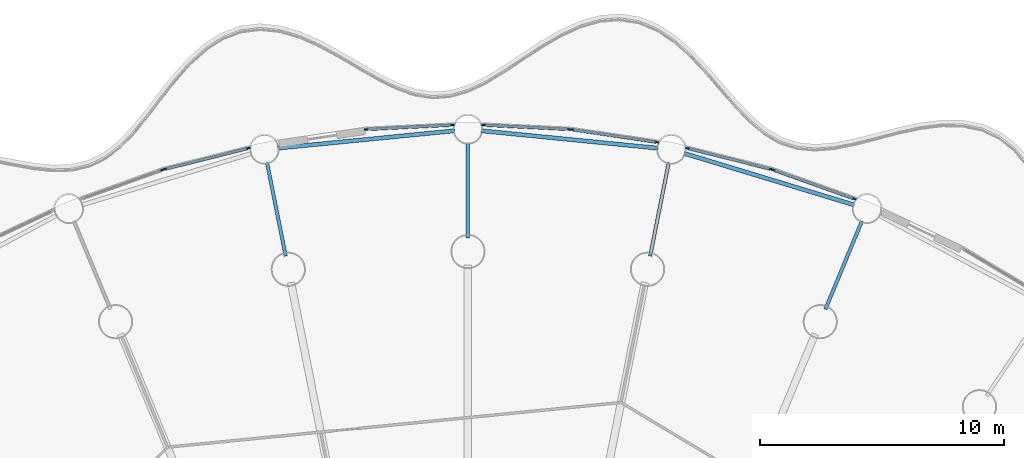
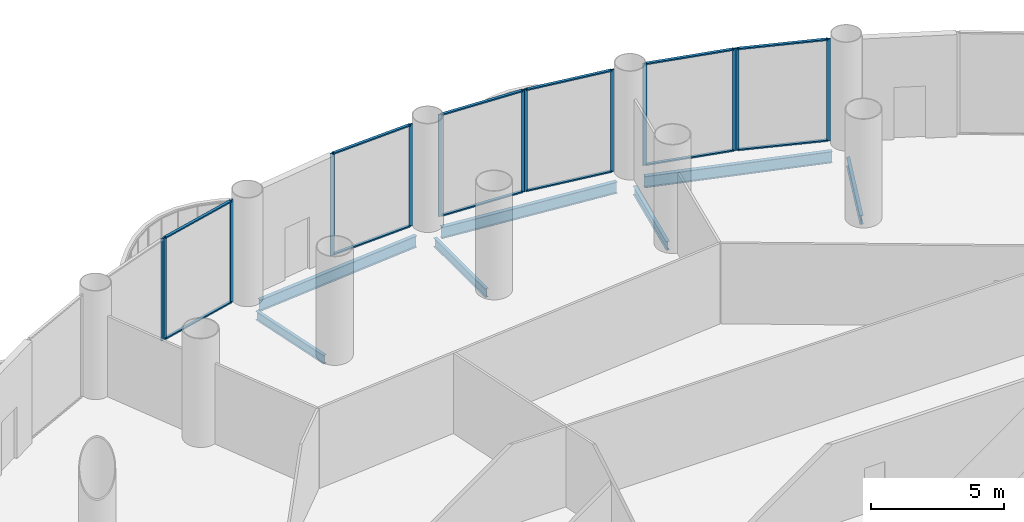
# One storey, part 17 of 35: 25 members, 7 beams, 7 elements without a shape of their own.
"""IFC4 building model written with IfcOpenShell, lengths in metres."""

from ifc_helpers import new_model, si_unit, direction, frame, origin, origin_2d, place, context, subcontext, project, spatial, rectangle, i_section, extrude, material, material_profile, profile_set, type_object, element, aggregate, save


model = new_model("IFC4")

# Units and contexts
model_context = context("Model", 3, precision=1e-05, world=origin(), true_north=direction((0.0, 1.0)))
body_context = subcontext(model_context, "Body", "Model", "MODEL_VIEW")
ifc_project = project(units=[si_unit("LENGTHUNIT", "METRE"), si_unit("AREAUNIT", "SQUARE_METRE"), si_unit("VOLUMEUNIT", "CUBIC_METRE"), si_unit("PLANEANGLEUNIT", "RADIAN"), si_unit("MASSUNIT", "GRAM", prefix="KILO")], contexts=[model_context])

# Site, building, storey
site_placement = place(None, origin())
site = spatial("IfcSite", under=ifc_project, at=site_placement, CompositionType="ELEMENT")
building_placement = place(site_placement, origin())
building = spatial("IfcBuilding", under=site, at=building_placement, Name="Corvane Civic Tower", CompositionType="ELEMENT")
storey_placement = place(building_placement, frame((0.0, 0.0, 27.0)))
storey = spatial("IfcBuildingStorey", under=building, at=storey_placement, Name="L05", CompositionType="ELEMENT", Elevation=27.0)

# Beams
ifc_material_1 = material(Name="Steel ASTM A992 Gr 50", Category="steel")
ifc_material_profile_1 = material_profile(ifc_material_1, i_section(OverallWidth=0.165771484375, OverallDepth=0.5283203125, WebThickness=0.009765625, FlangeThickness=0.013671875, at=origin_2d()), Name="W21X50")
ifc_profile_set_1 = profile_set([ifc_material_profile_1], Name="Steel ASTM A992 Gr 50")
beam_type_1 = type_object("IfcBeamType", Name="EDGE BEAM W21X50", PredefinedType="BEAM", material=ifc_profile_set_1)
for number, where, z_axis, x_axis, name in (
    (1, (0.54736328125, 42.64599609375, -0.564208984375), (0.995187967953, -0.097984225478, 0.0), (0.097984225478, 0.995187967953, 0.0), "BM-L05-E01"),
    (2, (8.856689453125, 41.719970703125, -0.564208984375), (0.956938225664, -0.290291633127, 0.0), (0.290291633127, 0.956938225664, 0.0), "BM-L05-E02"),
    (3, (-7.782958984375, 41.93359375, -0.564208984375), (0.995187967953, 0.097984225478, 0.0), (-0.097984225478, 0.995187967953, 0.0), "BM-L05-E32"),
):
    element("IfcBeam", number, at=place(storey_placement, frame(where, z_axis=z_axis, x_axis=x_axis)), inside=storey, type_object=beam_type_1, Name=name, PredefinedType="BEAM", context=body_context, shape_type="SweptSolid", body=[
        extrude(i_section(OverallWidth=0.165771484375, OverallDepth=0.5283203125, WebThickness=0.009765625, FlangeThickness=0.013671875, at=origin_2d()), origin(), (0.0, 0.0, 1.0), 7.2705078125),
    ])
ifc_material_2 = material(Name="Steel ASTM A992 Gr 50", Category="steel")
ifc_material_profile_2 = material_profile(ifc_material_2, i_section(OverallWidth=0.140380859375, OverallDepth=0.40380859375, WebThickness=0.007080078125, FlangeThickness=0.01123046875, at=origin_2d()), Name="W16X31")
ifc_profile_set_2 = profile_set([ifc_material_profile_2], Name="Steel ASTM A992 Gr 50")
beam_type_2 = type_object("IfcBeamType", Name="FLOOR GIRDER W16X31", PredefinedType="BEAM", material=ifc_profile_set_2)
for number, where, z_axis, x_axis, name in (
    (4, (0.0, 38.25, -0.501953125), (0.0, 1.0, 0.0), (-1.0, 0.0, 0.0), "BM-L05-G01b"),
    (5, (7.462158203125, 37.51513671875, -0.501953125), (0.195128858343, 0.980777614264, 0.0), (-0.980777614264, 0.195128858343, 0.0), "BM-L05-G02b"),
    (6, (14.6376953125, 35.33837890625, -0.501953125), (0.382685369162, 0.923878730261, 0.0), (-0.923878730261, 0.382685369162, 0.0), "BM-L05-G03b"),
    (7, (-7.462158203125, 37.51513671875, -0.501953125), (-0.195128858343, 0.980777614264, 0.0), (-0.980777614264, -0.195128858343, 0.0), "BM-L05-G32b"),
):
    element("IfcBeam", number, at=place(storey_placement, frame(where, z_axis=z_axis, x_axis=x_axis)), inside=storey, type_object=beam_type_2, Name=name, PredefinedType="BEAM", context=body_context, shape_type="SweptSolid", body=[
        extrude(i_section(OverallWidth=0.140380859375, OverallDepth=0.40380859375, WebThickness=0.007080078125, FlangeThickness=0.01123046875, at=origin_2d()), origin(), (0.0, 0.0, 1.0), 3.89990234375),
    ])

# Curtain wall, members
ifc_material_3 = material(Name="Aluminium and glass", Category="aluminium")
curtain_wall_type = type_object("IfcCurtainWallType", Name="PODIUM-CW-P-RUN", PredefinedType="NOTDEFINED", material=ifc_material_3)
curtain_wall_1_placement = place(storey_placement, origin())
curtain_wall_1 = element("IfcCurtainWall", 8, at=curtain_wall_1_placement, inside=storey, type_object=curtain_wall_type, Name="PODI run L05-drum-01A", PredefinedType="NOTDEFINED")
ifc_material_4 = material(Name="Anodised aluminium bronze", Category="aluminium")
ifc_material_profile_3 = material_profile(ifc_material_4, rectangle(XDim=0.06005859375, YDim=0.159912109375, at=origin_2d()), Name="AL 60x160")
ifc_profile_set_3 = profile_set([ifc_material_profile_3], Name="Anodised aluminium bronze")
member_type_1 = type_object("IfcMemberType", Name="PODIUM-CWP-MULLION-60x160", PredefinedType="MULLION", material=ifc_profile_set_3)
member_1_placement = place(storey_placement, frame((0.644775390625, 42.878173828125, 0.0), z_axis=(0.0, 0.0, 1.0), x_axis=(0.04905015332, 0.998796316803, 0.0)))
member_1 = element("IfcMember", 9, at=member_1_placement, type_object=member_type_1, Name="CW-P mullion 1", PredefinedType="MULLION", context=body_context, shape_type="SweptSolid", body=[
    extrude(rectangle(XDim=0.06005859375, YDim=0.159912109375, at=origin_2d()), origin(), (0.0, 0.0, 1.0), 4.699951171875),
])
member_2_placement = place(storey_placement, frame((4.16064453125, 42.70556640625, 0.0), z_axis=(0.0, 0.0, 1.0), x_axis=(0.04905015332, 0.998796316803, 0.0)))
member_2 = element("IfcMember", 10, at=member_2_placement, type_object=member_type_1, Name="CW-P mullion 2", PredefinedType="MULLION", context=body_context, shape_type="SweptSolid", body=[
    extrude(rectangle(XDim=0.06005859375, YDim=0.159912109375, at=origin_2d()), origin(), (0.0, 0.0, 1.0), 4.699951171875),
])

curtain_wall_2_placement = place(storey_placement, origin())
curtain_wall_2 = element("IfcCurtainWall", 11, at=curtain_wall_2_placement, inside=storey, type_object=curtain_wall_type, Name="PODI run L05-drum-01B", PredefinedType="NOTDEFINED")
member_3_placement = place(storey_placement, frame((4.2509765625, 42.696533203125, 0.0), z_axis=(0.0, 0.0, 1.0), x_axis=(0.146714694252, 0.989178850608, 0.0)))
member_3 = element("IfcMember", 12, at=member_3_placement, type_object=member_type_1, Name="CW-P mullion 1", PredefinedType="MULLION", context=body_context, shape_type="SweptSolid", body=[
    extrude(rectangle(XDim=0.06005859375, YDim=0.159912109375, at=origin_2d()), origin(), (0.0, 0.0, 1.0), 4.699951171875),
])
member_4_placement = place(storey_placement, frame((7.732666015625, 42.18017578125, 0.0), z_axis=(0.0, 0.0, 1.0), x_axis=(0.146714694252, 0.989178850608, 0.0)))
member_4 = element("IfcMember", 13, at=member_4_placement, type_object=member_type_1, Name="CW-P mullion 2", PredefinedType="MULLION", context=body_context, shape_type="SweptSolid", body=[
    extrude(rectangle(XDim=0.06005859375, YDim=0.159912109375, at=origin_2d()), origin(), (0.0, 0.0, 1.0), 4.699951171875),
])

curtain_wall_3_placement = place(storey_placement, origin())
curtain_wall_3 = element("IfcCurtainWall", 14, at=curtain_wall_3_placement, inside=storey, type_object=curtain_wall_type, Name="PODI run L05-drum-02A", PredefinedType="NOTDEFINED")
member_5_placement = place(storey_placement, frame((8.99755859375, 41.9287109375, 0.0), z_axis=(0.0, 0.0, 1.0), x_axis=(0.243008852393, 0.970024070659, 0.0)))
member_5 = element("IfcMember", 15, at=member_5_placement, type_object=member_type_1, Name="CW-P mullion 1", PredefinedType="MULLION", context=body_context, shape_type="SweptSolid", body=[
    extrude(rectangle(XDim=0.06005859375, YDim=0.159912109375, at=origin_2d()), origin(), (0.0, 0.0, 1.0), 4.699951171875),
])
member_6_placement = place(storey_placement, frame((12.411865234375, 41.0732421875, 0.0), z_axis=(0.0, 0.0, 1.0), x_axis=(0.243008852393, 0.970024070659, 0.0)))
member_6 = element("IfcMember", 16, at=member_6_placement, type_object=member_type_1, Name="CW-P mullion 2", PredefinedType="MULLION", context=body_context, shape_type="SweptSolid", body=[
    extrude(rectangle(XDim=0.06005859375, YDim=0.159912109375, at=origin_2d()), origin(), (0.0, 0.0, 1.0), 4.699951171875),
])

curtain_wall_4_placement = place(storey_placement, origin())
curtain_wall_4 = element("IfcCurtainWall", 17, at=curtain_wall_4_placement, inside=storey, type_object=curtain_wall_type, Name="PODI run L05-drum-02B", PredefinedType="NOTDEFINED")
member_7_placement = place(storey_placement, frame((12.4990234375, 41.046875, 0.0), z_axis=(0.0, 0.0, 1.0), x_axis=(0.336918534123, 0.941533802561, 0.0)))
member_7 = element("IfcMember", 18, at=member_7_placement, type_object=member_type_1, Name="CW-P mullion 1", PredefinedType="MULLION", context=body_context, shape_type="SweptSolid", body=[
    extrude(rectangle(XDim=0.06005859375, YDim=0.159912109375, at=origin_2d()), origin(), (0.0, 0.0, 1.0), 4.699951171875),
])
member_8_placement = place(storey_placement, frame((15.81298828125, 39.861083984375, 0.0), z_axis=(0.0, 0.0, 1.0), x_axis=(0.336918534123, 0.941533802561, 0.0)))
member_8 = element("IfcMember", 19, at=member_8_placement, type_object=member_type_1, Name="CW-P mullion 2", PredefinedType="MULLION", context=body_context, shape_type="SweptSolid", body=[
    extrude(rectangle(XDim=0.06005859375, YDim=0.159912109375, at=origin_2d()), origin(), (0.0, 0.0, 1.0), 4.699951171875),
])

# Curtain wall, member
curtain_wall_5_placement = place(storey_placement, origin())
curtain_wall_5 = element("IfcCurtainWall", 20, at=curtain_wall_5_placement, inside=storey, type_object=curtain_wall_type, Name="PODI run L05-drum-31A", PredefinedType="NOTDEFINED")
member_9_placement = place(storey_placement, frame((-12.4990234375, 41.046875, 0.0), z_axis=(0.0, 0.0, 1.0), x_axis=(-0.336918534123, 0.941533802561, 0.0)))
member_9 = element("IfcMember", 21, at=member_9_placement, type_object=member_type_1, Name="CW-P mullion 2", PredefinedType="MULLION", context=body_context, shape_type="SweptSolid", body=[
    extrude(rectangle(XDim=0.06005859375, YDim=0.159912109375, at=origin_2d()), origin(), (0.0, 0.0, 1.0), 4.699951171875),
])
aggregate(curtain_wall_5, [member_9])

# Curtain wall, members
curtain_wall_6_placement = place(storey_placement, origin())
curtain_wall_6 = element("IfcCurtainWall", 22, at=curtain_wall_6_placement, inside=storey, type_object=curtain_wall_type, Name="PODI run L05-drum-31B", PredefinedType="NOTDEFINED")
member_10_placement = place(storey_placement, frame((-12.411865234375, 41.0732421875, 0.0), z_axis=(0.0, 0.0, 1.0), x_axis=(-0.243008852393, 0.970024070659, 0.0)))
member_10 = element("IfcMember", 23, at=member_10_placement, type_object=member_type_1, Name="CW-P mullion 1", PredefinedType="MULLION", context=body_context, shape_type="SweptSolid", body=[
    extrude(rectangle(XDim=0.06005859375, YDim=0.159912109375, at=origin_2d()), origin(), (0.0, 0.0, 1.0), 4.699951171875),
])
member_11_placement = place(storey_placement, frame((-8.99755859375, 41.9287109375, 0.0), z_axis=(0.0, 0.0, 1.0), x_axis=(-0.243008852393, 0.970024070659, 0.0)))
member_11 = element("IfcMember", 24, at=member_11_placement, type_object=member_type_1, Name="CW-P mullion 2", PredefinedType="MULLION", context=body_context, shape_type="SweptSolid", body=[
    extrude(rectangle(XDim=0.06005859375, YDim=0.159912109375, at=origin_2d()), origin(), (0.0, 0.0, 1.0), 4.699951171875),
])

curtain_wall_7_placement = place(storey_placement, origin())
curtain_wall_7 = element("IfcCurtainWall", 25, at=curtain_wall_7_placement, inside=storey, type_object=curtain_wall_type, Name="PODI run L05-drum-32B", PredefinedType="NOTDEFINED")
member_12_placement = place(storey_placement, frame((-4.16064453125, 42.70556640625, 0.0), z_axis=(0.0, 0.0, 1.0), x_axis=(-0.04905015332, 0.998796316803, 0.0)))
member_12 = element("IfcMember", 26, at=member_12_placement, type_object=member_type_1, Name="CW-P mullion 1", PredefinedType="MULLION", context=body_context, shape_type="SweptSolid", body=[
    extrude(rectangle(XDim=0.06005859375, YDim=0.159912109375, at=origin_2d()), origin(), (0.0, 0.0, 1.0), 4.699951171875),
])
member_13_placement = place(storey_placement, frame((-0.644775390625, 42.878173828125, 0.0), z_axis=(0.0, 0.0, 1.0), x_axis=(-0.04905015332, 0.998796316803, 0.0)))
member_13 = element("IfcMember", 27, at=member_13_placement, type_object=member_type_1, Name="CW-P mullion 2", PredefinedType="MULLION", context=body_context, shape_type="SweptSolid", body=[
    extrude(rectangle(XDim=0.06005859375, YDim=0.159912109375, at=origin_2d()), origin(), (0.0, 0.0, 1.0), 4.699951171875),
])

# Member
ifc_material_5 = material(Name="Anodised aluminium bronze", Category="aluminium")
ifc_material_profile_4 = material_profile(ifc_material_5, rectangle(XDim=0.1201171875, YDim=0.06005859375, at=origin_2d()), Name="AL 120x60")
ifc_profile_set_4 = profile_set([ifc_material_profile_4], Name="Anodised aluminium bronze")
member_type_2 = type_object("IfcMemberType", Name="PODIUM-CWP-TRANSOM-60x120", PredefinedType="USERDEFINED", material=ifc_profile_set_4)
member_14_placement = place(storey_placement, frame((0.6748046875, 42.876708984375, 0.030029296875), z_axis=(0.998796806423, -0.049040182301, 0.0), x_axis=(0.049040182301, 0.998796806423, 0.0)))
member_14 = element("IfcMember", 28, at=member_14_placement, type_object=member_type_2, Name="CW-P transom 1.1", ObjectType="TRANSOM", PredefinedType="USERDEFINED", context=body_context, shape_type="SweptSolid", body=[
    extrude(rectangle(XDim=0.1201171875, YDim=0.06005859375, at=origin_2d()), origin(), (0.0, 0.0, 1.0), 3.4599609375),
])

member_15_placement = place(storey_placement, frame((0.6748046875, 42.876708984375, 4.669921875), z_axis=(0.998796806423, -0.049040182301, 0.0), x_axis=(0.049040182301, 0.998796806423, 0.0)))
member_15 = element("IfcMember", 29, at=member_15_placement, type_object=member_type_2, Name="CW-P transom 1.2", ObjectType="TRANSOM", PredefinedType="USERDEFINED", context=body_context, shape_type="SweptSolid", body=[
    extrude(rectangle(XDim=0.1201171875, YDim=0.06005859375, at=origin_2d()), origin(), (0.0, 0.0, 1.0), 3.4599609375),
])

aggregate(curtain_wall_1, [member_1, member_2, member_14, member_15])

member_16_placement = place(storey_placement, frame((4.28076171875, 42.692138671875, 0.030029296875), z_axis=(0.989180338828, -0.146704660039, 0.0), x_axis=(0.146704660039, 0.989180338828, 0.0)))
member_16 = element("IfcMember", 30, at=member_16_placement, type_object=member_type_2, Name="CW-P transom 1.1", ObjectType="TRANSOM", PredefinedType="USERDEFINED", context=body_context, shape_type="SweptSolid", body=[
    extrude(rectangle(XDim=0.1201171875, YDim=0.06005859375, at=origin_2d()), origin(), (0.0, 0.0, 1.0), 3.459716796875),
])

member_17_placement = place(storey_placement, frame((4.28076171875, 42.692138671875, 4.669921875), z_axis=(0.989180338828, -0.146704660039, 0.0), x_axis=(0.146704660039, 0.989180338828, 0.0)))
member_17 = element("IfcMember", 31, at=member_17_placement, type_object=member_type_2, Name="CW-P transom 1.2", ObjectType="TRANSOM", PredefinedType="USERDEFINED", context=body_context, shape_type="SweptSolid", body=[
    extrude(rectangle(XDim=0.1201171875, YDim=0.06005859375, at=origin_2d()), origin(), (0.0, 0.0, 1.0), 3.459716796875),
])

aggregate(curtain_wall_2, [member_3, member_4, member_16, member_17])

member_18_placement = place(storey_placement, frame((9.026611328125, 41.92138671875, 0.030029296875), z_axis=(0.970022009425, -0.243017080124, 0.0), x_axis=(0.243017080124, 0.970022009425, 0.0)))
member_18 = element("IfcMember", 32, at=member_18_placement, type_object=member_type_2, Name="CW-P transom 1.1", ObjectType="TRANSOM", PredefinedType="USERDEFINED", context=body_context, shape_type="SweptSolid", body=[
    extrude(rectangle(XDim=0.1201171875, YDim=0.06005859375, at=origin_2d()), origin(), (0.0, 0.0, 1.0), 3.4599609375),
])

member_19_placement = place(storey_placement, frame((9.026611328125, 41.92138671875, 4.669921875), z_axis=(0.970022009425, -0.243017080124, 0.0), x_axis=(0.243017080124, 0.970022009425, 0.0)))
member_19 = element("IfcMember", 33, at=member_19_placement, type_object=member_type_2, Name="CW-P transom 1.2", ObjectType="TRANSOM", PredefinedType="USERDEFINED", context=body_context, shape_type="SweptSolid", body=[
    extrude(rectangle(XDim=0.1201171875, YDim=0.06005859375, at=origin_2d()), origin(), (0.0, 0.0, 1.0), 3.4599609375),
])

aggregate(curtain_wall_3, [member_5, member_6, member_18, member_19])

member_20_placement = place(storey_placement, frame((12.527099609375, 41.036865234375, 0.030029296875), z_axis=(0.941526196838, -0.336939787896, 0.0), x_axis=(0.336939787896, 0.941526196838, 0.0)))
member_20 = element("IfcMember", 34, at=member_20_placement, type_object=member_type_2, Name="CW-P transom 1.1", ObjectType="TRANSOM", PredefinedType="USERDEFINED", context=body_context, shape_type="SweptSolid", body=[
    extrude(rectangle(XDim=0.1201171875, YDim=0.06005859375, at=origin_2d()), origin(), (0.0, 0.0, 1.0), 3.4599609375),
])

member_21_placement = place(storey_placement, frame((12.527099609375, 41.036865234375, 4.669921875), z_axis=(0.941526196838, -0.336939787896, 0.0), x_axis=(0.336939787896, 0.941526196838, 0.0)))
member_21 = element("IfcMember", 35, at=member_21_placement, type_object=member_type_2, Name="CW-P transom 1.2", ObjectType="TRANSOM", PredefinedType="USERDEFINED", context=body_context, shape_type="SweptSolid", body=[
    extrude(rectangle(XDim=0.1201171875, YDim=0.06005859375, at=origin_2d()), origin(), (0.0, 0.0, 1.0), 3.4599609375),
])

aggregate(curtain_wall_4, [member_7, member_8, member_20, member_21])

member_22_placement = place(storey_placement, frame((-12.3828125, 41.08056640625, 0.030029296875), z_axis=(0.970022009425, 0.243017080124, 0.0), x_axis=(-0.243017080124, 0.970022009425, 0.0)))
member_22 = element("IfcMember", 36, at=member_22_placement, type_object=member_type_2, Name="CW-P transom 1.1", ObjectType="TRANSOM", PredefinedType="USERDEFINED", context=body_context, shape_type="SweptSolid", body=[
    extrude(rectangle(XDim=0.1201171875, YDim=0.06005859375, at=origin_2d()), origin(), (0.0, 0.0, 1.0), 3.4599609375),
])

member_23_placement = place(storey_placement, frame((-12.3828125, 41.08056640625, 4.669921875), z_axis=(0.970022009425, 0.243017080124, 0.0), x_axis=(-0.243017080124, 0.970022009425, 0.0)))
member_23 = element("IfcMember", 37, at=member_23_placement, type_object=member_type_2, Name="CW-P transom 1.2", ObjectType="TRANSOM", PredefinedType="USERDEFINED", context=body_context, shape_type="SweptSolid", body=[
    extrude(rectangle(XDim=0.1201171875, YDim=0.06005859375, at=origin_2d()), origin(), (0.0, 0.0, 1.0), 3.4599609375),
])

aggregate(curtain_wall_6, [member_10, member_11, member_22, member_23])

member_24_placement = place(storey_placement, frame((-4.130615234375, 42.70703125, 0.030029296875), z_axis=(0.998796806423, 0.049040182301, 0.0), x_axis=(-0.049040182301, 0.998796806423, 0.0)))
member_24 = element("IfcMember", 38, at=member_24_placement, type_object=member_type_2, Name="CW-P transom 1.1", ObjectType="TRANSOM", PredefinedType="USERDEFINED", context=body_context, shape_type="SweptSolid", body=[
    extrude(rectangle(XDim=0.1201171875, YDim=0.06005859375, at=origin_2d()), origin(), (0.0, 0.0, 1.0), 3.4599609375),
])

member_25_placement = place(storey_placement, frame((-4.130615234375, 42.70703125, 4.669921875), z_axis=(0.998796806423, 0.049040182301, 0.0), x_axis=(-0.049040182301, 0.998796806423, 0.0)))
member_25 = element("IfcMember", 39, at=member_25_placement, type_object=member_type_2, Name="CW-P transom 1.2", ObjectType="TRANSOM", PredefinedType="USERDEFINED", context=body_context, shape_type="SweptSolid", body=[
    extrude(rectangle(XDim=0.1201171875, YDim=0.06005859375, at=origin_2d()), origin(), (0.0, 0.0, 1.0), 3.4599609375),
])

aggregate(curtain_wall_7, [member_12, member_13, member_24, member_25])

save(model, "model.ifc")
